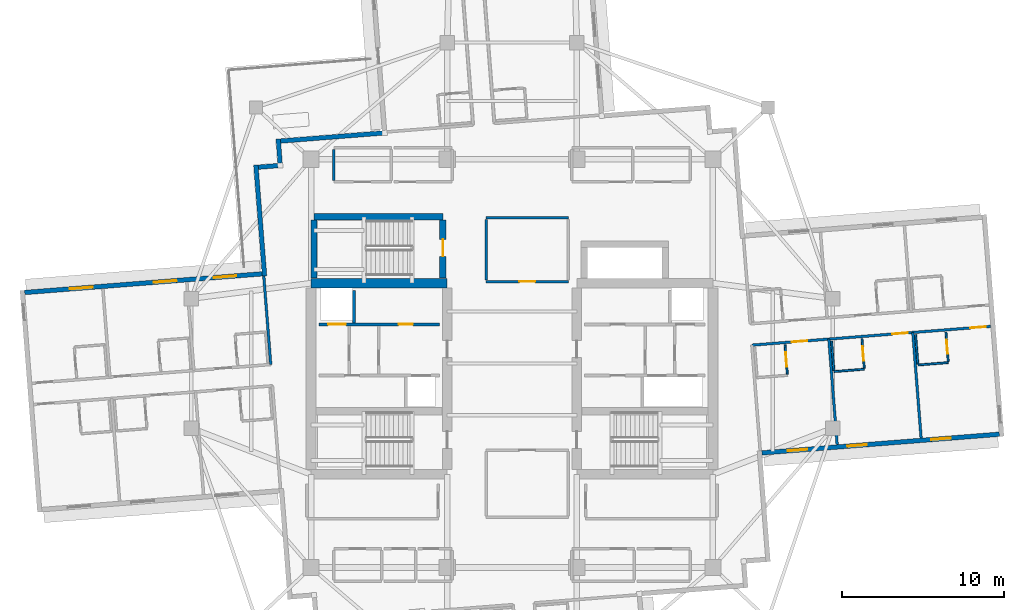
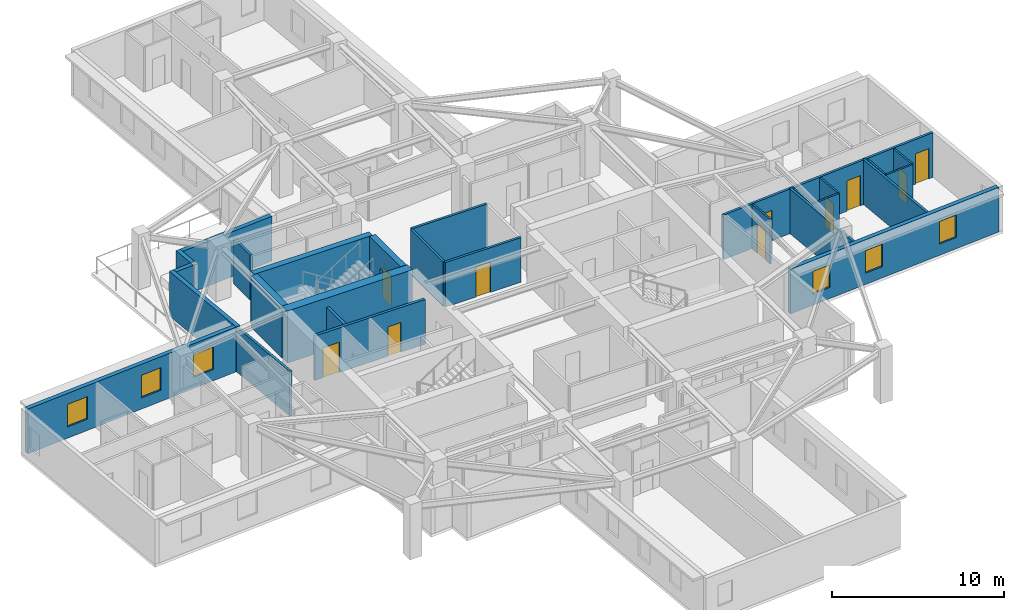
# One storey, part 6 of 13: 27 walls, 10 doors, 6 windows, 16 openings.
"""IFC4 building model written with IfcOpenShell, lengths in metres."""

from ifc_helpers import new_model, si_unit, direction, frame, frame_2d, origin, place, context, subcontext, project, spatial, rectangle, extrude, material, layer, layer_set, type_object, element, fill, save


model = new_model("IFC4")

# Units and contexts
model_context = context("Model", 3, precision=1e-05, world=origin(), true_north=direction((0.0, 1.0)))
body_context = subcontext(model_context, "Body", "Model", "MODEL_VIEW")
ifc_project = project(units=[si_unit("LENGTHUNIT", "METRE"), si_unit("AREAUNIT", "SQUARE_METRE"), si_unit("VOLUMEUNIT", "CUBIC_METRE"), si_unit("PLANEANGLEUNIT", "RADIAN"), si_unit("MASSUNIT", "GRAM", prefix="KILO")], contexts=[model_context])

# Site, building, storey
site_placement = place(None, origin())
site = spatial("IfcSite", under=ifc_project, at=site_placement, CompositionType="ELEMENT")
building_placement = place(site_placement, origin())
building = spatial("IfcBuilding", under=site, at=building_placement, Name="Qingluan Cross Belvedere", CompositionType="ELEMENT")
storey_placement = place(building_placement, frame((0.0, 0.0, 205.199951171875)))
storey = spatial("IfcBuildingStorey", under=building, at=storey_placement, Name="L51", CompositionType="ELEMENT", Elevation=205.199951171875)

# Walls
ifc_material_1 = material(Name="Concrete C50", Category="concrete")
ifc_layer_1 = layer(ifc_material_1, 0.449951171875, Name="CoreShearWall_450")
ifc_layer_set_1 = layer_set([ifc_layer_1], Name="Concrete C50")
wall_type_1 = type_object("IfcWallType", Name="CoreShearWall_450", PredefinedType="SHEAR", material=ifc_layer_set_1)
wall_1_placement = place(storey_placement, frame((-12.219970703125, 9.0400390625, 0.0), z_axis=(0.0, 0.0, 1.0), x_axis=(1.0, 0.0, 0.0)))
element("IfcWall", 1, at=wall_1_placement, inside=storey, type_object=wall_type_1, Name="Stair ST3 structural wall N L51", PredefinedType="SHEAR", context=body_context, shape_type="SweptSolid", body=[
    extrude(rectangle(XDim=7.9599609375, YDim=0.39990234375, at=frame_2d((3.97998046875, 0.0))), origin(), (0.0, 0.0, 1.0), 3.699951171875),
])
wall_2_placement = place(storey_placement, frame((-12.219970703125, 5.2548828125, 0.0), z_axis=(0.0, 0.0, 1.0), x_axis=(0.0, 1.0, 0.0)))
element("IfcWall", 2, at=wall_2_placement, inside=storey, type_object=wall_type_1, Name="Stair ST3 structural wall W L51", PredefinedType="SHEAR", context=body_context, shape_type="SweptSolid", body=[
    extrude(rectangle(XDim=3.580078125, YDim=0.39990234375, at=frame_2d((1.7900390625, 0.0))), origin(), (0.0, 0.0, 1.0), 3.699951171875),
])

# Wall, opening, door
wall_3_placement = place(storey_placement, frame((-4.260009765625, 5.2548828125, 0.0), z_axis=(0.0, 0.0, 1.0), x_axis=(0.0, 1.0, 0.0)))
wall_3 = element("IfcWall", 3, at=wall_3_placement, inside=storey, type_object=wall_type_1, Name="Stair ST3 structural wall E L51", PredefinedType="SHEAR", context=body_context, shape_type="SweptSolid", body=[
    extrude(rectangle(XDim=3.580078125, YDim=0.39990234375, at=frame_2d((1.7900390625, 0.0))), origin(), (0.0, 0.0, 1.0), 3.699951171875),
])
opening_1_placement = place(wall_3_placement, frame((1.344970703125, 0.0, 0.0)))
opening_1 = element("IfcOpeningElement", 4, at=opening_1_placement, cuts=wall_3, Name="Opening FD-B11", PredefinedType="OPENING", context=body_context, shape_type="SweptSolid", body=[
    extrude(rectangle(XDim=1.050048828125, YDim=2.14990234375, at=frame_2d((0.52490234375, 1.074951171875))), frame((0.0, 0.2099609375, 0.0), z_axis=(0.0, -1.0, 0.0), x_axis=(1.0, 0.0, 0.0)), (0.0, 0.0, 1.0), 0.419921875),
])
ifc_material_2 = material(Name="Steel Class B smoke-seal fire door", Category="steel")
door_type_1 = type_object("IfcDoorType", Name="StairLobbyFireDoor_FDB", OperationType="NOTDEFINED", PredefinedType="DOOR", material=ifc_material_2)
door_1_placement = place(opening_1_placement, origin())
door_1 = element("IfcDoor", 5, at=door_1_placement, inside=storey, type_object=door_type_1, Name="Smoke-proof stair ST3 fire door L51", OperationType="SINGLE_SWING_LEFT", OverallHeight=2.14990234375, OverallWidth=1.050048828125, PredefinedType="DOOR", context=body_context, shape_type="SweptSolid", body=[
    extrude(rectangle(XDim=1.050048828125, YDim=2.14990234375, at=frame_2d((0.52490234375, 1.074951171875))), frame((0.0, 0.02490234375, 0.0), z_axis=(0.0, -1.0, 0.0), x_axis=(1.0, 0.0, 0.0)), (0.0, 0.0, 1.0), 0.050048828125),
])
fill(opening_1, door_1)

# Walls
ifc_material_3 = material(Name="Concrete C60", Category="concrete")
ifc_layer_2 = layer(ifc_material_3, 0.60009765625, Name="CoreShearWall_600")
ifc_layer_set_2 = layer_set([ifc_layer_2], Name="Concrete C60")
wall_type_2 = type_object("IfcWallType", Name="CoreShearWall_600", PredefinedType="SHEAR", material=ifc_layer_set_2)
wall_4_placement = place(storey_placement, frame((-12.39990234375, 4.949951171875, 0.0), z_axis=(0.0, 0.0, 1.0), x_axis=(1.0, 0.0, 0.0)))
element("IfcWall", 6, at=wall_4_placement, inside=storey, type_object=wall_type_2, Name="Split core W shear wall L51-N", PredefinedType="SHEAR", context=body_context, shape_type="SweptSolid", body=[
    extrude(rectangle(XDim=8.39990234375, YDim=0.60009765625, at=frame_2d((4.199951171875, 0.0))), origin(), (0.0, 0.0, 1.0), 3.699951171875),
])
ifc_material_4 = material(Name="Gypsum plasterboard on steel stud acoustic partition", Category="steel")
ifc_layer_3 = layer(ifc_material_4, 0.159912109375, Name="CorridorPartition_160")
ifc_layer_set_3 = layer_set([ifc_layer_3], Name="Gypsum plasterboard on steel stud acoustic partition")
wall_type_3 = type_object("IfcWallType", Name="CorridorPartition_160", PredefinedType="PARTITIONING", material=ifc_layer_set_3)
wall_5_placement = place(storey_placement, frame((-11.0, 11.284912109375, 0.0), z_axis=(0.0, 0.0, 1.0), x_axis=(0.0, 1.0, 0.0)))
element("IfcWall", 7, at=wall_5_placement, inside=storey, type_object=wall_type_3, Name="Partition L51:q_nw1:W", PredefinedType="PARTITIONING", context=body_context, shape_type="SweptSolid", body=[
    extrude(rectangle(XDim=1.93017578125, YDim=0.159912109375, at=frame_2d((0.965087890625, 0.0))), origin(), (0.0, 0.0, 1.0), 3.170166015625),
])

# Wall, opening, door
wall_6_placement = place(storey_placement, frame((-1.60009765625, 5.050048828125, 0.0), z_axis=(0.0, 0.0, 1.0), x_axis=(1.0, 0.0, 0.0)))
wall_6 = element("IfcWall", 8, at=wall_6_placement, inside=storey, type_object=wall_type_3, Name="Partition L51:sky_tea_alcove:S", PredefinedType="PARTITIONING", context=body_context, shape_type="SweptSolid", body=[
    extrude(rectangle(XDim=5.080078125, YDim=0.159912109375, at=frame_2d((2.5400390625, 0.0))), origin(), (0.0, 0.0, 1.0), 3.170166015625),
])
opening_2_placement = place(wall_6_placement, frame((2.06005859375, 0.0, 0.0)))
opening_2 = element("IfcOpeningElement", 9, at=opening_2_placement, cuts=wall_6, Name="Opening GD-10", PredefinedType="OPENING", context=body_context, shape_type="SweptSolid", body=[
    extrude(rectangle(XDim=0.9599609375, YDim=2.14990234375, at=frame_2d((0.47998046875, 1.074951171875))), frame((0.0, 0.08984375, 0.0), z_axis=(0.0, -1.0, 0.0), x_axis=(1.0, 0.0, 0.0)), (0.0, 0.0, 1.0), 0.179931640625),
])
ifc_material_5 = material(Name="Timber oak fire-rated acoustic guestroom door", Category="wood")
door_type_2 = type_object("IfcDoorType", Name="GuestEntryDoor_FD60", OperationType="NOTDEFINED", PredefinedType="DOOR", material=ifc_material_5)
door_2_placement = place(opening_2_placement, origin())
door_2 = element("IfcDoor", 10, at=door_2_placement, inside=storey, type_object=door_type_2, Name="Sky horizon tea salon L51 door", OperationType="SINGLE_SWING_LEFT", OverallHeight=2.14990234375, OverallWidth=0.9599609375, PredefinedType="DOOR", context=body_context, shape_type="SweptSolid", body=[
    extrude(rectangle(XDim=0.9599609375, YDim=2.14990234375, at=frame_2d((0.47998046875, 1.074951171875))), frame((0.0, 0.02490234375, 0.0), z_axis=(0.0, -1.0, 0.0), x_axis=(1.0, 0.0, 0.0)), (0.0, 0.0, 1.0), 0.050048828125),
])
fill(opening_2, door_2)

# Walls
wall_7_placement = place(storey_placement, frame((-1.60009765625, 8.97998046875, 0.0), z_axis=(0.0, 0.0, 1.0), x_axis=(1.0, 0.0, 0.0)))
element("IfcWall", 11, at=wall_7_placement, inside=storey, type_object=wall_type_3, Name="Partition L51:sky_tea_alcove:N", PredefinedType="PARTITIONING", context=body_context, shape_type="SweptSolid", body=[
    extrude(rectangle(XDim=5.080078125, YDim=0.159912109375, at=frame_2d((2.5400390625, 0.0))), origin(), (0.0, 0.0, 1.0), 3.170166015625),
])
wall_8_placement = place(storey_placement, frame((-1.60009765625, 5.135009765625, 0.0), z_axis=(0.0, 0.0, 1.0), x_axis=(0.0, 1.0, 0.0)))
element("IfcWall", 12, at=wall_8_placement, inside=storey, type_object=wall_type_3, Name="Partition L51:sky_tea_alcove:W", PredefinedType="PARTITIONING", context=body_context, shape_type="SweptSolid", body=[
    extrude(rectangle(XDim=3.760009765625, YDim=0.159912109375, at=frame_2d((1.8798828125, 0.0))), origin(), (0.0, 0.0, 1.0), 3.170166015625),
])

# Wall, openings, doors
wall_9_placement = place(storey_placement, frame((14.807373046875, 1.125244140625, 0.0), z_axis=(0.0, 0.0, 1.0), x_axis=(0.996917895694, 0.078451955012, 0.0)))
wall_9 = element("IfcWall", 13, at=wall_9_placement, inside=storey, type_object=wall_type_3, Name="Partition L51:E:c1", PredefinedType="PARTITIONING", context=body_context, shape_type="SweptSolid", body=[
    extrude(rectangle(XDim=14.781982421875, YDim=0.159912109375, at=frame_2d((7.39111328125, 0.0))), origin(), (0.0, 0.0, 1.0), 3.170166015625),
])
opening_3_placement = place(wall_9_placement, frame((2.4560546875, 0.0, 0.0)))
opening_3 = element("IfcOpeningElement", 14, at=opening_3_placement, cuts=wall_9, Name="Opening GD-10", PredefinedType="OPENING", context=body_context, shape_type="SweptSolid", body=[
    extrude(rectangle(XDim=0.9599609375, YDim=2.14990234375, at=frame_2d((0.47998046875, 1.074951171875))), frame((0.0, 0.08984375, 0.0), z_axis=(0.0, -1.0, 0.0), x_axis=(1.0, 0.0, 0.0)), (0.0, 0.0, 1.0), 0.179931640625),
])
opening_4_placement = place(wall_9_placement, frame((8.700927734375, 0.0, 0.0)))
opening_4 = element("IfcOpeningElement", 15, at=opening_4_placement, cuts=wall_9, Name="Opening GD-10", PredefinedType="OPENING", context=body_context, shape_type="SweptSolid", body=[
    extrude(rectangle(XDim=0.9599609375, YDim=2.14990234375, at=frame_2d((0.47998046875, 1.074951171875))), frame((0.0, 0.08984375, 0.0), z_axis=(0.0, -1.0, 0.0), x_axis=(1.0, 0.0, 0.0)), (0.0, 0.0, 1.0), 0.179931640625),
])
opening_5_placement = place(wall_9_placement, frame((13.530029296875, 0.0, 0.0)))
opening_5 = element("IfcOpeningElement", 16, at=opening_5_placement, cuts=wall_9, Name="Opening GD-10", PredefinedType="OPENING", context=body_context, shape_type="SweptSolid", body=[
    extrude(rectangle(XDim=0.9599609375, YDim=2.14990234375, at=frame_2d((0.47998046875, 1.074951171875))), frame((0.0, 0.08984375, 0.0), z_axis=(0.0, -1.0, 0.0), x_axis=(1.0, 0.0, 0.0)), (0.0, 0.0, 1.0), 0.179931640625),
])
door_3_placement = place(opening_3_placement, origin())
door_3 = element("IfcDoor", 17, at=door_3_placement, inside=storey, type_object=door_type_2, Name="Guest entry fire door 5104", OperationType="SINGLE_SWING_LEFT", OverallHeight=2.14990234375, OverallWidth=0.9599609375, PredefinedType="DOOR", context=body_context, shape_type="SweptSolid", body=[
    extrude(rectangle(XDim=0.9599609375, YDim=2.14990234375, at=frame_2d((0.47998046875, 1.074951171875))), frame((0.0, 0.02490234375, 0.0), z_axis=(0.0, -1.0, 0.0), x_axis=(1.0, 0.0, 0.0)), (0.0, 0.0, 1.0), 0.050048828125),
])
fill(opening_3, door_3)
door_4_placement = place(opening_4_placement, origin())
door_4 = element("IfcDoor", 18, at=door_4_placement, inside=storey, type_object=door_type_2, Name="Guest entry fire door 5105", OperationType="SINGLE_SWING_LEFT", OverallHeight=2.14990234375, OverallWidth=0.9599609375, PredefinedType="DOOR", context=body_context, shape_type="SweptSolid", body=[
    extrude(rectangle(XDim=0.9599609375, YDim=2.14990234375, at=frame_2d((0.47998046875, 1.074951171875))), frame((0.0, 0.02490234375, 0.0), z_axis=(0.0, -1.0, 0.0), x_axis=(1.0, 0.0, 0.0)), (0.0, 0.0, 1.0), 0.050048828125),
])
fill(opening_4, door_4)
door_5_placement = place(opening_5_placement, origin())
door_5 = element("IfcDoor", 19, at=door_5_placement, inside=storey, type_object=door_type_2, Name="Guest entry fire door 5106", OperationType="SINGLE_SWING_LEFT", OverallHeight=2.14990234375, OverallWidth=0.9599609375, PredefinedType="DOOR", context=body_context, shape_type="SweptSolid", body=[
    extrude(rectangle(XDim=0.9599609375, YDim=2.14990234375, at=frame_2d((0.47998046875, 1.074951171875))), frame((0.0, 0.02490234375, 0.0), z_axis=(0.0, -1.0, 0.0), x_axis=(1.0, 0.0, 0.0)), (0.0, 0.0, 1.0), 0.050048828125),
])
fill(opening_5, door_5)

# Walls
for number, where, z_axis, x_axis, name in (
    (20, (19.5556640625, 1.498779296875, 0.0), (0.0, 0.0, 1.0), (0.07845419515, -0.996917719405, 0.0), "Partition L51:E:d1_0"),
    (21, (24.73779296875, 1.90673828125, 0.0), (0.0, 0.0, 1.0), (0.07845419515, -0.996917719405, 0.0), "Partition L51:E:d1_1"),
):
    element("IfcWall", number, at=place(storey_placement, frame(where, z_axis=z_axis, x_axis=x_axis)), inside=storey, type_object=wall_type_3, Name=name, PredefinedType="PARTITIONING", context=body_context, shape_type="SweptSolid", body=[
        extrude(rectangle(XDim=6.53173828125, YDim=0.159912109375, at=frame_2d((3.265869140625, 0.0))), origin(), (0.0, 0.0, 1.0), 3.170166015625),
    ])
wall_10_placement = place(storey_placement, frame((-14.890380859375, -0.068603515625, 0.0), z_axis=(0.0, 0.0, 1.0), x_axis=(-0.078477291154, 0.996915901555, 0.0)))
element("IfcWall", 22, at=wall_10_placement, inside=storey, type_object=wall_type_3, Name="Partition L51:W:s0", PredefinedType="PARTITIONING", context=body_context, shape_type="SweptSolid", body=[
    extrude(rectangle(XDim=5.47216796875, YDim=0.159912109375, at=frame_2d((2.736083984375, 0.0))), origin(), (0.0, 0.0, 1.0), 3.170166015625),
])

# Wall, opening, door
ifc_material_6 = material(Name="Moisture-resistant gypsum board lining")
ifc_layer_4 = layer(ifc_material_6, 0.1201171875, Name="EnsuiteWetPartition_120")
ifc_layer_set_4 = layer_set([ifc_layer_4], Name="Moisture-resistant gypsum board lining")
wall_type_4 = type_object("IfcWallType", Name="EnsuiteWetPartition_120", PredefinedType="PARTITIONING", material=ifc_layer_set_4)
wall_11_placement = place(storey_placement, frame((16.994873046875, -0.668701171875, 0.0), z_axis=(0.0, 0.0, 1.0), x_axis=(-0.0784709492, 0.996916400774, 0.0)))
wall_11 = element("IfcWall", 23, at=wall_11_placement, inside=storey, type_object=wall_type_4, Name="Partition L51:E:bs1_0", PredefinedType="PARTITIONING", context=body_context, shape_type="SweptSolid", body=[
    extrude(rectangle(XDim=1.820068359375, YDim=0.1201171875, at=frame_2d((0.91015625, 0.0))), origin(), (0.0, 0.0, 1.0), 3.170166015625),
])
opening_6_placement = place(wall_11_placement, frame((0.469970703125, 0.0, 0.0)))
opening_6 = element("IfcOpeningElement", 24, at=opening_6_placement, cuts=wall_11, Name="Opening BD-09", PredefinedType="OPENING", context=body_context, shape_type="SweptSolid", body=[
    extrude(rectangle(XDim=0.8798828125, YDim=2.10009765625, at=frame_2d((0.43994140625, 1.050048828125))), frame((0.0, 0.070068359375, 0.0), z_axis=(0.0, -1.0, 0.0), x_axis=(1.0, 0.0, 0.0)), (0.0, 0.0, 1.0), 0.14013671875),
])
ifc_material_7 = material(Name="Moisture-sealed timber en-suite door", Category="wood")
door_type_3 = type_object("IfcDoorType", Name="BathroomDoor_880", OperationType="NOTDEFINED", PredefinedType="DOOR", material=ifc_material_7)
door_6_placement = place(opening_6_placement, origin())
door_6 = element("IfcDoor", 25, at=door_6_placement, inside=storey, type_object=door_type_3, Name="Bathroom door 5104", OperationType="SINGLE_SWING_RIGHT", OverallHeight=2.10009765625, OverallWidth=0.8798828125, PredefinedType="DOOR", context=body_context, shape_type="SweptSolid", body=[
    extrude(rectangle(XDim=0.8798828125, YDim=2.10009765625, at=frame_2d((0.43994140625, 1.050048828125))), frame((0.0, 0.02490234375, 0.0), z_axis=(0.0, -1.0, 0.0), x_axis=(1.0, 0.0, 0.0)), (0.0, 0.0, 1.0), 0.050048828125),
])
fill(opening_6, door_6)

wall_12_placement = place(storey_placement, frame((21.7431640625, -0.294921875, 0.0), z_axis=(0.0, 0.0, 1.0), x_axis=(-0.078481444107, 0.996915574626, 0.0)))
wall_12 = element("IfcWall", 26, at=wall_12_placement, inside=storey, type_object=wall_type_4, Name="Partition L51:E:bs1_1", PredefinedType="PARTITIONING", context=body_context, shape_type="SweptSolid", body=[
    extrude(rectangle(XDim=1.81982421875, YDim=0.1201171875, at=frame_2d((0.909912109375, 0.0))), origin(), (0.0, 0.0, 1.0), 3.170166015625),
])
opening_7_placement = place(wall_12_placement, frame((0.469970703125, 0.0, 0.0)))
opening_7 = element("IfcOpeningElement", 27, at=opening_7_placement, cuts=wall_12, Name="Opening BD-09", PredefinedType="OPENING", context=body_context, shape_type="SweptSolid", body=[
    extrude(rectangle(XDim=0.8798828125, YDim=2.10009765625, at=frame_2d((0.43994140625, 1.050048828125))), frame((0.0, 0.070068359375, 0.0), z_axis=(0.0, -1.0, 0.0), x_axis=(1.0, 0.0, 0.0)), (0.0, 0.0, 1.0), 0.14013671875),
])
door_7_placement = place(opening_7_placement, origin())
door_7 = element("IfcDoor", 28, at=door_7_placement, inside=storey, type_object=door_type_3, Name="Bathroom door 5105", OperationType="SINGLE_SWING_RIGHT", OverallHeight=2.10009765625, OverallWidth=0.8798828125, PredefinedType="DOOR", context=body_context, shape_type="SweptSolid", body=[
    extrude(rectangle(XDim=0.8798828125, YDim=2.10009765625, at=frame_2d((0.43994140625, 1.050048828125))), frame((0.0, 0.02490234375, 0.0), z_axis=(0.0, -1.0, 0.0), x_axis=(1.0, 0.0, 0.0)), (0.0, 0.0, 1.0), 0.050048828125),
])
fill(opening_7, door_7)

# Walls
wall_13_placement = place(storey_placement, frame((19.868896484375, -0.4423828125, 0.0), z_axis=(0.0, 0.0, 1.0), x_axis=(-0.078348112001, 0.996926062126, 0.0)))
element("IfcWall", 29, at=wall_13_placement, inside=storey, type_object=wall_type_4, Name="Partition L51:E:bw1_1", PredefinedType="PARTITIONING", context=body_context, shape_type="SweptSolid", body=[
    extrude(rectangle(XDim=1.81982421875, YDim=0.1201171875, at=frame_2d((0.909912109375, 0.0))), origin(), (0.0, 0.0, 1.0), 3.170166015625),
])
wall_14_placement = place(storey_placement, frame((19.8740234375, -0.50732421875, 0.0), z_axis=(0.0, 0.0, 1.0), x_axis=(0.996919293781, 0.07843418698, 0.0)))
element("IfcWall", 30, at=wall_14_placement, inside=storey, type_object=wall_type_4, Name="Partition L51:E:bc1_1", PredefinedType="PARTITIONING", context=body_context, shape_type="SweptSolid", body=[
    extrude(rectangle(XDim=1.880126953125, YDim=0.1201171875, at=frame_2d((0.93994140625, 0.0))), origin(), (0.0, 0.0, 1.0), 3.170166015625),
])

# Wall, opening, door
wall_15_placement = place(storey_placement, frame((26.925048828125, 0.11279296875, 0.0), z_axis=(0.0, 0.0, 1.0), x_axis=(-0.0784709492, 0.996916400774, 0.0)))
wall_15 = element("IfcWall", 31, at=wall_15_placement, inside=storey, type_object=wall_type_4, Name="Partition L51:E:bs1_2", PredefinedType="PARTITIONING", context=body_context, shape_type="SweptSolid", body=[
    extrude(rectangle(XDim=1.820068359375, YDim=0.1201171875, at=frame_2d((0.91015625, 0.0))), origin(), (0.0, 0.0, 1.0), 3.170166015625),
])
opening_8_placement = place(wall_15_placement, frame((0.469970703125, 0.0, 0.0)))
opening_8 = element("IfcOpeningElement", 32, at=opening_8_placement, cuts=wall_15, Name="Opening BD-09", PredefinedType="OPENING", context=body_context, shape_type="SweptSolid", body=[
    extrude(rectangle(XDim=0.8798828125, YDim=2.10009765625, at=frame_2d((0.43994140625, 1.050048828125))), frame((0.0, 0.070068359375, 0.0), z_axis=(0.0, -1.0, 0.0), x_axis=(1.0, 0.0, 0.0)), (0.0, 0.0, 1.0), 0.14013671875),
])
door_8_placement = place(opening_8_placement, origin())
door_8 = element("IfcDoor", 33, at=door_8_placement, inside=storey, type_object=door_type_3, Name="Bathroom door 5106", OperationType="SINGLE_SWING_RIGHT", OverallHeight=2.10009765625, OverallWidth=0.8798828125, PredefinedType="DOOR", context=body_context, shape_type="SweptSolid", body=[
    extrude(rectangle(XDim=0.8798828125, YDim=2.10009765625, at=frame_2d((0.43994140625, 1.050048828125))), frame((0.0, 0.02490234375, 0.0), z_axis=(0.0, -1.0, 0.0), x_axis=(1.0, 0.0, 0.0)), (0.0, 0.0, 1.0), 0.050048828125),
])
fill(opening_8, door_8)

# Walls
wall_16_placement = place(storey_placement, frame((25.05078125, -0.03466796875, 0.0), z_axis=(0.0, 0.0, 1.0), x_axis=(-0.078337634704, 0.996926885478, 0.0)))
element("IfcWall", 34, at=wall_16_placement, inside=storey, type_object=wall_type_4, Name="Partition L51:E:bw1_2", PredefinedType="PARTITIONING", context=body_context, shape_type="SweptSolid", body=[
    extrude(rectangle(XDim=1.820068359375, YDim=0.1201171875, at=frame_2d((0.91015625, 0.0))), origin(), (0.0, 0.0, 1.0), 3.170166015625),
])
wall_17_placement = place(storey_placement, frame((25.055908203125, -0.099365234375, 0.0), z_axis=(0.0, 0.0, 1.0), x_axis=(0.996919293781, 0.07843418698, 0.0)))
element("IfcWall", 35, at=wall_17_placement, inside=storey, type_object=wall_type_4, Name="Partition L51:E:bc1_2", PredefinedType="PARTITIONING", context=body_context, shape_type="SweptSolid", body=[
    extrude(rectangle(XDim=1.880126953125, YDim=0.1201171875, at=frame_2d((0.93994140625, 0.0))), origin(), (0.0, 0.0, 1.0), 3.170166015625),
])

# Wall, openings, windows
ifc_material_8 = material(Name="Precast concrete C45", Category="concrete")
ifc_layer_5 = layer(ifc_material_8, 0.280029296875, Name="PrecastFacadeWall_280")
ifc_layer_set_5 = layer_set([ifc_layer_5], Name="Precast concrete C45")
wall_type_5 = type_object("IfcWallType", Name="PrecastFacadeWall_280", PredefinedType="STANDARD", material=ifc_layer_set_5)
wall_18_placement = place(storey_placement, frame((15.421142578125, -5.527099609375, 0.0), z_axis=(0.0, 0.0, 1.0), x_axis=(0.996917526837, 0.078456642068, 0.0)))
wall_18 = element("IfcWall", 36, at=wall_18_placement, inside=storey, type_object=wall_type_5, Name="Facade wall L51-EA", PredefinedType="STANDARD", context=body_context, shape_type="SweptSolid", body=[
    extrude(rectangle(XDim=14.7001953125, YDim=0.280029296875, at=frame_2d((7.35009765625, 0.0))), origin(), (0.0, 0.0, 1.0), 3.179931640625),
])
opening_9_placement = place(wall_18_placement, frame((1.60009765625, 0.0, 0.800048828125)))
opening_9 = element("IfcOpeningElement", 37, at=opening_9_placement, cuts=wall_18, Name="Opening W-02", PredefinedType="OPENING", context=body_context, shape_type="SweptSolid", body=[
    extrude(rectangle(XDim=1.199951171875, YDim=1.60009765625, at=frame_2d((0.60009765625, 0.800048828125))), frame((0.0, 0.14990234375, 0.0), z_axis=(0.0, -1.0, 0.0), x_axis=(1.0, 0.0, 0.0)), (0.0, 0.0, 1.0), 0.300048828125),
])
opening_10_placement = place(wall_18_placement, frame((5.300048828125, 0.0, 0.800048828125)))
opening_10 = element("IfcOpeningElement", 38, at=opening_10_placement, cuts=wall_18, Name="Opening W-02", PredefinedType="OPENING", context=body_context, shape_type="SweptSolid", body=[
    extrude(rectangle(XDim=1.199951171875, YDim=1.60009765625, at=frame_2d((0.60009765625, 0.800048828125))), frame((0.0, 0.14990234375, 0.0), z_axis=(0.0, -1.0, 0.0), x_axis=(1.0, 0.0, 0.0)), (0.0, 0.0, 1.0), 0.300048828125),
])
opening_11_placement = place(wall_18_placement, frame((10.5, 0.0, 0.800048828125)))
opening_11 = element("IfcOpeningElement", 39, at=opening_11_placement, cuts=wall_18, Name="Opening W-02", PredefinedType="OPENING", context=body_context, shape_type="SweptSolid", body=[
    extrude(rectangle(XDim=1.199951171875, YDim=1.60009765625, at=frame_2d((0.60009765625, 0.800048828125))), frame((0.0, 0.14990234375, 0.0), z_axis=(0.0, -1.0, 0.0), x_axis=(1.0, 0.0, 0.0)), (0.0, 0.0, 1.0), 0.300048828125),
])
ifc_material_9 = material(Name="Thermally broken triple Low-E glass in aluminium frame", Category="aluminium")
window_type_1 = type_object("IfcWindowType", Name="TriRibbonWin_1200x1600", PartitioningType="SINGLE_PANEL", PredefinedType="WINDOW", material=ifc_material_9)
window_1_placement = place(opening_9_placement, origin())
window_1 = element("IfcWindow", 40, at=window_1_placement, inside=storey, type_object=window_type_1, Name="Ribbon window L51-EA-1", OverallHeight=1.60009765625, OverallWidth=1.199951171875, PartitioningType="SINGLE_PANEL", PredefinedType="WINDOW", context=body_context, shape_type="SweptSolid", body=[
    extrude(rectangle(XDim=1.199951171875, YDim=1.60009765625, at=frame_2d((0.60009765625, 0.800048828125))), frame((0.0, 0.030029296875, 0.0), z_axis=(0.0, -1.0, 0.0), x_axis=(1.0, 0.0, 0.0)), (0.0, 0.0, 1.0), 0.06005859375),
])
fill(opening_9, window_1)
window_2_placement = place(opening_10_placement, origin())
window_2 = element("IfcWindow", 41, at=window_2_placement, inside=storey, type_object=window_type_1, Name="Ribbon window L51-EA-2", OverallHeight=1.60009765625, OverallWidth=1.199951171875, PartitioningType="SINGLE_PANEL", PredefinedType="WINDOW", context=body_context, shape_type="SweptSolid", body=[
    extrude(rectangle(XDim=1.199951171875, YDim=1.60009765625, at=frame_2d((0.60009765625, 0.800048828125))), frame((0.0, 0.030029296875, 0.0), z_axis=(0.0, -1.0, 0.0), x_axis=(1.0, 0.0, 0.0)), (0.0, 0.0, 1.0), 0.06005859375),
])
fill(opening_10, window_2)
window_3_placement = place(opening_11_placement, origin())
window_3 = element("IfcWindow", 42, at=window_3_placement, inside=storey, type_object=window_type_1, Name="Ribbon window L51-EA-3", OverallHeight=1.60009765625, OverallWidth=1.199951171875, PartitioningType="SINGLE_PANEL", PredefinedType="WINDOW", context=body_context, shape_type="SweptSolid", body=[
    extrude(rectangle(XDim=1.199951171875, YDim=1.60009765625, at=frame_2d((0.60009765625, 0.800048828125))), frame((0.0, 0.030029296875, 0.0), z_axis=(0.0, -1.0, 0.0), x_axis=(1.0, 0.0, 0.0)), (0.0, 0.0, 1.0), 0.06005859375),
])
fill(opening_11, window_3)

wall_19_placement = place(storey_placement, frame((-15.421142578125, 5.527099609375, 0.0), z_axis=(0.0, 0.0, 1.0), x_axis=(-0.996917526837, -0.078456642068, 0.0)))
wall_19 = element("IfcWall", 43, at=wall_19_placement, inside=storey, type_object=wall_type_5, Name="Facade wall L51-WA", PredefinedType="STANDARD", context=body_context, shape_type="SweptSolid", body=[
    extrude(rectangle(XDim=14.7001953125, YDim=0.280029296875, at=frame_2d((7.35009765625, 0.0))), origin(), (0.0, 0.0, 1.0), 3.179931640625),
])
opening_12_placement = place(wall_19_placement, frame((1.60009765625, 0.0, 0.800048828125)))
opening_12 = element("IfcOpeningElement", 44, at=opening_12_placement, cuts=wall_19, Name="Opening W-01", PredefinedType="OPENING", context=body_context, shape_type="SweptSolid", body=[
    extrude(rectangle(XDim=1.39990234375, YDim=1.60009765625, at=frame_2d((0.699951171875, 0.800048828125))), frame((0.0, 0.14990234375, 0.0), z_axis=(0.0, -1.0, 0.0), x_axis=(1.0, 0.0, 0.0)), (0.0, 0.0, 1.0), 0.300048828125),
])
opening_13_placement = place(wall_19_placement, frame((5.300048828125, 0.0, 0.800048828125)))
opening_13 = element("IfcOpeningElement", 45, at=opening_13_placement, cuts=wall_19, Name="Opening W-01", PredefinedType="OPENING", context=body_context, shape_type="SweptSolid", body=[
    extrude(rectangle(XDim=1.39990234375, YDim=1.60009765625, at=frame_2d((0.699951171875, 0.800048828125))), frame((0.0, 0.14990234375, 0.0), z_axis=(0.0, -1.0, 0.0), x_axis=(1.0, 0.0, 0.0)), (0.0, 0.0, 1.0), 0.300048828125),
])
opening_14_placement = place(wall_19_placement, frame((10.5, 0.0, 0.800048828125)))
opening_14 = element("IfcOpeningElement", 46, at=opening_14_placement, cuts=wall_19, Name="Opening W-01", PredefinedType="OPENING", context=body_context, shape_type="SweptSolid", body=[
    extrude(rectangle(XDim=1.39990234375, YDim=1.60009765625, at=frame_2d((0.699951171875, 0.800048828125))), frame((0.0, 0.14990234375, 0.0), z_axis=(0.0, -1.0, 0.0), x_axis=(1.0, 0.0, 0.0)), (0.0, 0.0, 1.0), 0.300048828125),
])
ifc_material_10 = material(Name="Thermally broken triple Low-E glass in aluminium frame", Category="aluminium")
window_type_2 = type_object("IfcWindowType", Name="TriRibbonWin_1400x1600", PartitioningType="SINGLE_PANEL", PredefinedType="WINDOW", material=ifc_material_10)
window_4_placement = place(opening_12_placement, origin())
window_4 = element("IfcWindow", 47, at=window_4_placement, inside=storey, type_object=window_type_2, Name="Ribbon window L51-WA-1", OverallHeight=1.60009765625, OverallWidth=1.39990234375, PartitioningType="SINGLE_PANEL", PredefinedType="WINDOW", context=body_context, shape_type="SweptSolid", body=[
    extrude(rectangle(XDim=1.39990234375, YDim=1.60009765625, at=frame_2d((0.699951171875, 0.800048828125))), frame((0.0, 0.030029296875, 0.0), z_axis=(0.0, -1.0, 0.0), x_axis=(1.0, 0.0, 0.0)), (0.0, 0.0, 1.0), 0.06005859375),
])
fill(opening_12, window_4)
window_5_placement = place(opening_13_placement, origin())
window_5 = element("IfcWindow", 48, at=window_5_placement, inside=storey, type_object=window_type_2, Name="Ribbon window L51-WA-2", OverallHeight=1.60009765625, OverallWidth=1.39990234375, PartitioningType="SINGLE_PANEL", PredefinedType="WINDOW", context=body_context, shape_type="SweptSolid", body=[
    extrude(rectangle(XDim=1.39990234375, YDim=1.60009765625, at=frame_2d((0.699951171875, 0.800048828125))), frame((0.0, 0.030029296875, 0.0), z_axis=(0.0, -1.0, 0.0), x_axis=(1.0, 0.0, 0.0)), (0.0, 0.0, 1.0), 0.06005859375),
])
fill(opening_13, window_5)
window_6_placement = place(opening_14_placement, origin())
window_6 = element("IfcWindow", 49, at=window_6_placement, inside=storey, type_object=window_type_2, Name="Ribbon window L51-WA-3", OverallHeight=1.60009765625, OverallWidth=1.39990234375, PartitioningType="SINGLE_PANEL", PredefinedType="WINDOW", context=body_context, shape_type="SweptSolid", body=[
    extrude(rectangle(XDim=1.39990234375, YDim=1.60009765625, at=frame_2d((0.699951171875, 0.800048828125))), frame((0.0, 0.030029296875, 0.0), z_axis=(0.0, -1.0, 0.0), x_axis=(1.0, 0.0, 0.0)), (0.0, 0.0, 1.0), 0.06005859375),
])
fill(opening_14, window_6)

# Walls
wall_20_placement = place(storey_placement, frame((-15.2705078125, 5.3984375, 0.0), z_axis=(0.0, 0.0, 1.0), x_axis=(-0.078473519122, 0.996916198482, 0.0)))
element("IfcWall", 50, at=wall_20_placement, inside=storey, type_object=wall_type_5, Name="Corner wall L51-NW1", PredefinedType="STANDARD", context=body_context, shape_type="SweptSolid", body=[
    extrude(rectangle(XDim=6.860107421875, YDim=0.280029296875, at=frame_2d((3.43017578125, 0.0))), origin(), (0.0, 0.0, 1.0), 3.179931640625),
])
wall_21_placement = place(storey_placement, frame((-15.658203125, 12.10888671875, 0.0), z_axis=(0.0, 0.0, 1.0), x_axis=(0.996917540398, 0.078456469752, 0.0)))
element("IfcWall", 51, at=wall_21_placement, inside=storey, type_object=wall_type_5, Name="Corner wall L51-NW2", PredefinedType="STANDARD", context=body_context, shape_type="SweptSolid", body=[
    extrude(rectangle(XDim=1.2197265625, YDim=0.280029296875, at=frame_2d((0.60986328125, 0.0))), origin(), (0.0, 0.0, 1.0), 3.179931640625),
])
wall_22_placement = place(storey_placement, frame((-14.3134765625, 12.35498046875, 0.0), z_axis=(0.0, 0.0, 1.0), x_axis=(-0.078451338629, 0.9969179442, 0.0)))
element("IfcWall", 52, at=wall_22_placement, inside=storey, type_object=wall_type_5, Name="Corner wall L51-NW3", PredefinedType="STANDARD", context=body_context, shape_type="SweptSolid", body=[
    extrude(rectangle(XDim=1.5, YDim=0.280029296875, at=frame_2d((0.75, 0.0))), origin(), (0.0, 0.0, 1.0), 3.179931640625),
])
wall_23_placement = place(storey_placement, frame((-14.280517578125, 13.721923828125, 0.0), z_axis=(0.0, 0.0, 1.0), x_axis=(0.99691915642, 0.078435932851, 0.0)))
element("IfcWall", 53, at=wall_23_placement, inside=storey, type_object=wall_type_5, Name="Corner wall L51-NW4", PredefinedType="STANDARD", context=body_context, shape_type="SweptSolid", body=[
    extrude(rectangle(XDim=6.2998046875, YDim=0.280029296875, at=frame_2d((3.14990234375, 0.0))), origin(), (0.0, 0.0, 1.0), 3.179931640625),
])

# Wall, openings, doors
ifc_material_11 = material(Name="Concrete C40", Category="concrete")
ifc_layer_6 = layer(ifc_material_11, 0.219970703125, Name="ShaftEnclosureWall_250")
ifc_layer_set_6 = layer_set([ifc_layer_6], Name="Concrete C40")
wall_type_6 = type_object("IfcWallType", Name="ShaftEnclosureWall_250", PredefinedType="SOLIDWALL", material=ifc_layer_set_6)
wall_24_placement = place(storey_placement, frame((-11.89990234375, 2.409912109375, 0.0), z_axis=(0.0, 0.0, 1.0), x_axis=(1.0, 0.0, 0.0)))
wall_24 = element("IfcWall", 54, at=wall_24_placement, inside=storey, type_object=wall_type_6, Name="Core-W north hoistway wall L51", PredefinedType="SOLIDWALL", context=body_context, shape_type="SweptSolid", body=[
    extrude(rectangle(XDim=7.419921875, YDim=0.179931640625, at=frame_2d((3.7099609375, 0.0))), origin(), (0.0, 0.0, 1.0), 3.170166015625),
])
opening_15_placement = place(wall_24_placement, frame((0.550048828125, 0.0, 0.0)))
opening_15 = element("IfcOpeningElement", 55, at=opening_15_placement, cuts=wall_24, Name="Opening LD-11", PredefinedType="OPENING", context=body_context, shape_type="SweptSolid", body=[
    extrude(rectangle(XDim=1.10009765625, YDim=2.14990234375, at=frame_2d((0.550048828125, 1.074951171875))), frame((0.0, 0.099853515625, 0.0), z_axis=(0.0, -1.0, 0.0), x_axis=(1.0, 0.0, 0.0)), (0.0, 0.0, 1.0), 0.199951171875),
])
opening_16_placement = place(wall_24_placement, frame((4.89990234375, 0.0, 0.0)))
opening_16 = element("IfcOpeningElement", 56, at=opening_16_placement, cuts=wall_24, Name="Opening FD-B10", PredefinedType="OPENING", context=body_context, shape_type="SweptSolid", body=[
    extrude(rectangle(XDim=0.8798828125, YDim=2.10009765625, at=frame_2d((0.43994140625, 1.050048828125))), frame((0.0, 0.099853515625, 0.0), z_axis=(0.0, -1.0, 0.0), x_axis=(1.0, 0.0, 0.0)), (0.0, 0.0, 1.0), 0.199951171875),
])
ifc_material_12 = material(Name="Brushed stainless steel centre-opening lift landing door", Category="steel")
door_type_4 = type_object("IfcDoorType", Name="LiftLandingSlidingDoor_1100", OperationType="DOUBLE_DOOR_SLIDING", PredefinedType="DOOR", material=ifc_material_12)
door_9_placement = place(opening_15_placement, origin())
door_9 = element("IfcDoor", 57, at=door_9_placement, inside=storey, type_object=door_type_4, Name="Lift landing sliding door FL1 L51", OperationType="DOUBLE_DOOR_SLIDING", OverallHeight=2.14990234375, OverallWidth=1.10009765625, PredefinedType="DOOR", context=body_context, shape_type="SweptSolid", body=[
    extrude(rectangle(XDim=1.10009765625, YDim=2.14990234375, at=frame_2d((0.550048828125, 1.074951171875))), frame((0.0, 0.02490234375, 0.0), z_axis=(0.0, -1.0, 0.0), x_axis=(1.0, 0.0, 0.0)), (0.0, 0.0, 1.0), 0.050048828125),
])
fill(opening_15, door_9)
ifc_material_13 = material(Name="Steel Class B service fire door", Category="steel")
door_type_5 = type_object("IfcDoorType", Name="RiserServiceFireDoor_FDB", OperationType="NOTDEFINED", PredefinedType="DOOR", material=ifc_material_13)
door_10_placement = place(opening_16_placement, origin())
door_10 = element("IfcDoor", 58, at=door_10_placement, inside=storey, type_object=door_type_5, Name="Housekeeping supply room door W L51", OperationType="SINGLE_SWING_RIGHT", OverallHeight=2.10009765625, OverallWidth=0.8798828125, PredefinedType="DOOR", context=body_context, shape_type="SweptSolid", body=[
    extrude(rectangle(XDim=0.8798828125, YDim=2.10009765625, at=frame_2d((0.43994140625, 1.050048828125))), frame((0.0, 0.02490234375, 0.0), z_axis=(0.0, -1.0, 0.0), x_axis=(1.0, 0.0, 0.0)), (0.0, 0.0, 1.0), 0.050048828125),
])
fill(opening_16, door_10)

# Wall
wall_25_placement = place(storey_placement, frame((-9.760009765625, 2.5, 0.0), z_axis=(0.0, 0.0, 1.0), x_axis=(0.0, 1.0, 0.0)))
element("IfcWall", 59, at=wall_25_placement, inside=storey, type_object=wall_type_6, Name="Hoistway enclosure divider FL1E L51", PredefinedType="SOLIDWALL", context=body_context, shape_type="SweptSolid", body=[
    extrude(rectangle(XDim=1.989990234375, YDim=0.179931640625, at=frame_2d((0.9951171875, 0.0))), origin(), (0.0, 0.0, 1.0), 3.170166015625),
])

save(model, "model.ifc")
